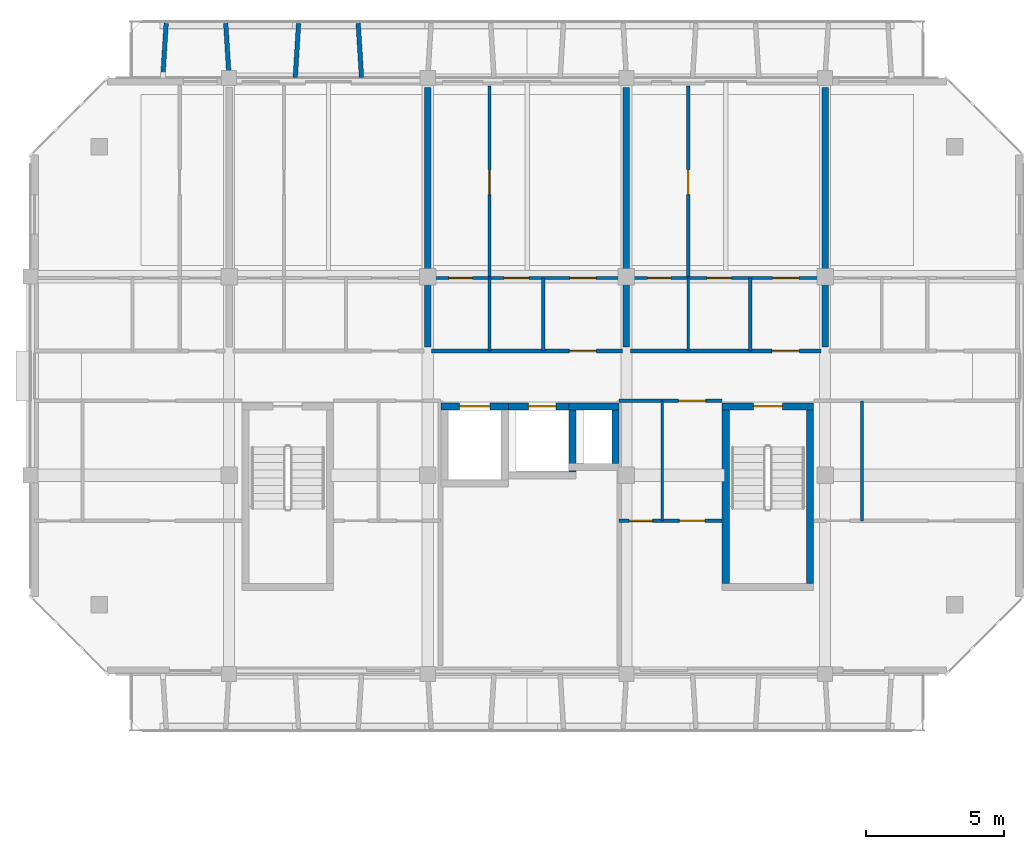
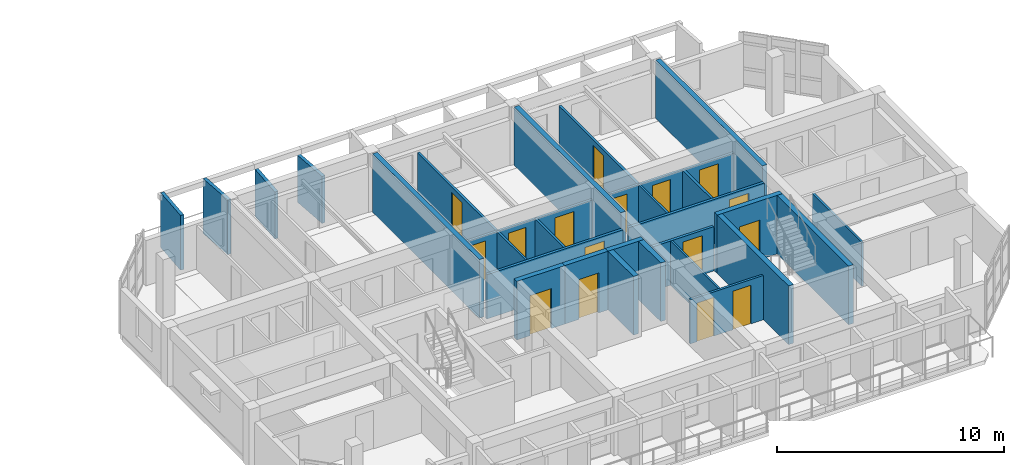
# One storey, part 45 of 64: 29 walls, 16 doors, 16 openings.
"""IFC4 building model written with IfcOpenShell, lengths in metres."""

from ifc_helpers import new_model, si_unit, direction, frame, frame_2d, origin, place, context, subcontext, project, spatial, rectangle, extrude, material, layer, layer_set, type_object, element, fill, save


model = new_model("IFC4")

# Units and contexts
model_context = context("Model", 3, precision=1e-05, world=origin(), true_north=direction((0.0, 1.0)))
body_context = subcontext(model_context, "Body", "Model", "MODEL_VIEW")
ifc_project = project(units=[si_unit("LENGTHUNIT", "METRE"), si_unit("AREAUNIT", "SQUARE_METRE"), si_unit("VOLUMEUNIT", "CUBIC_METRE"), si_unit("PLANEANGLEUNIT", "RADIAN"), si_unit("MASSUNIT", "GRAM", prefix="KILO")], contexts=[model_context])

# Site, building, storey
site_placement = place(None, origin())
site = spatial("IfcSite", under=ifc_project, at=site_placement, CompositionType="ELEMENT")
building_placement = place(site_placement, origin())
building = spatial("IfcBuilding", under=site, at=building_placement, Name="Ochrevale Crest", CompositionType="ELEMENT")
storey_placement = place(building_placement, frame((0.0, 0.0, 8.699951171875)))
storey = spatial("IfcBuildingStorey", under=building, at=storey_placement, Name="L02", CompositionType="ELEMENT", Elevation=8.699951171875)

# Wall, opening, door
ifc_material_1 = material(Name="Gypsum plasterboard", Category="gypsum")
ifc_layer_1 = layer(ifc_material_1, 0.139892578125)
ifc_layer_set_1 = layer_set([ifc_layer_1], Name="Gypsum plasterboard")
wall_type_1 = type_object("IfcWallType", Name="WL-COR-140", PredefinedType="PARTITIONING", material=ifc_layer_set_1)
wall_1_placement = place(storey_placement, frame((144.139892578125, 83.699951171875, 0.0), z_axis=(0.0, 0.0, 1.0), x_axis=(1.0, 0.0, 0.0)))
wall_1 = element("IfcWall", 1, at=wall_1_placement, inside=storey, type_object=wall_type_1, Name="Apartment D-L02-U3 corridor wall", PredefinedType="PARTITIONING", context=body_context, shape_type="SweptSolid", body=[
    extrude(rectangle(XDim=6.920166015625, YDim=0.139892578125, at=frame_2d((3.4599609375, 0.0))), origin(), (0.0, 0.0, 1.0), 2.380126953125),
])
opening_1_placement = place(wall_1_placement, frame((5.97509765625, 0.0, 0.0), z_axis=(0.0, 0.0, 1.0), x_axis=(-1.0, 0.0, 0.0)))
opening_1 = element("IfcOpeningElement", 2, at=opening_1_placement, cuts=wall_1, Name="Opening FD01", PredefinedType="OPENING", context=body_context, shape_type="SweptSolid", body=[
    extrude(rectangle(XDim=0.97998046875, YDim=2.10009765625, at=frame_2d((0.489990234375, 1.050048828125))), frame((0.0, 0.080078125, 0.0), z_axis=(0.0, -1.0, 0.0), x_axis=(1.0, 0.0, 0.0)), (0.0, 0.0, 1.0), 0.159912109375),
])
ifc_material_2 = material(Name="Solid-core FSC hardwood", Category="wood")
door_type_1 = type_object("IfcDoorType", Name="DR-APT-950", OperationType="NOTDEFINED", PredefinedType="DOOR", material=ifc_material_2)
door_1_placement = place(opening_1_placement, origin())
door_1 = element("IfcDoor", 3, at=door_1_placement, inside=storey, type_object=door_type_1, Name="Apartment D-L02-U3 entrance door", OperationType="SINGLE_SWING_RIGHT", OverallHeight=2.10009765625, OverallWidth=0.97998046875, PredefinedType="DOOR", context=body_context, shape_type="SweptSolid", body=[
    extrude(rectangle(XDim=0.97998046875, YDim=2.10009765625, at=frame_2d((0.489990234375, 1.050048828125))), frame((0.0, 0.02490234375, 0.0), z_axis=(0.0, -1.0, 0.0), x_axis=(1.0, 0.0, 0.0)), (0.0, 0.0, 1.0), 0.050048828125),
])
fill(opening_1, door_1)

wall_2_placement = place(storey_placement, frame((151.340087890625, 83.699951171875, 0.0), z_axis=(0.0, 0.0, 1.0), x_axis=(1.0, 0.0, 0.0)))
wall_2 = element("IfcWall", 4, at=wall_2_placement, inside=storey, type_object=wall_type_1, Name="Apartment D-L02-U4 corridor wall", PredefinedType="PARTITIONING", context=body_context, shape_type="SweptSolid", body=[
    extrude(rectangle(XDim=6.919921875, YDim=0.139892578125, at=frame_2d((3.4599609375, 0.0))), origin(), (0.0, 0.0, 1.0), 2.380126953125),
])
opening_2_placement = place(wall_2_placement, frame((5.14501953125, 0.0, 0.0)))
opening_2 = element("IfcOpeningElement", 5, at=opening_2_placement, cuts=wall_2, Name="Opening FD01", PredefinedType="OPENING", context=body_context, shape_type="SweptSolid", body=[
    extrude(rectangle(XDim=0.97998046875, YDim=2.10009765625, at=frame_2d((0.489990234375, 1.050048828125))), frame((0.0, 0.080078125, 0.0), z_axis=(0.0, -1.0, 0.0), x_axis=(1.0, 0.0, 0.0)), (0.0, 0.0, 1.0), 0.159912109375),
])
door_2_placement = place(opening_2_placement, origin())
door_2 = element("IfcDoor", 6, at=door_2_placement, inside=storey, type_object=door_type_1, Name="Apartment D-L02-U4 entrance door", OperationType="SINGLE_SWING_LEFT", OverallHeight=2.10009765625, OverallWidth=0.97998046875, PredefinedType="DOOR", context=body_context, shape_type="SweptSolid", body=[
    extrude(rectangle(XDim=0.97998046875, YDim=2.10009765625, at=frame_2d((0.489990234375, 1.050048828125))), frame((0.0, 0.02490234375, 0.0), z_axis=(0.0, -1.0, 0.0), x_axis=(1.0, 0.0, 0.0)), (0.0, 0.0, 1.0), 0.050048828125),
])
fill(opening_2, door_2)

wall_3_placement = place(storey_placement, frame((150.93994140625, 81.89990234375, 0.0), z_axis=(0.0, 0.0, 1.0), x_axis=(1.0, 0.0, 0.0)))
wall_3 = element("IfcWall", 7, at=wall_3_placement, inside=storey, type_object=wall_type_1, Name="Suite D-L02-ME corridor wall", PredefinedType="PARTITIONING", context=body_context, shape_type="SweptSolid", body=[
    extrude(rectangle(XDim=3.719970703125, YDim=0.139892578125, at=frame_2d((1.85986328125, 0.0))), origin(), (0.0, 0.0, 1.0), 2.380126953125),
])
opening_3_placement = place(wall_3_placement, frame((3.131103515625, 0.0, 0.0), z_axis=(0.0, 0.0, 1.0), x_axis=(-1.0, 0.0, 0.0)))
opening_3 = element("IfcOpeningElement", 8, at=opening_3_placement, cuts=wall_3, Name="Opening FD01", PredefinedType="OPENING", context=body_context, shape_type="SweptSolid", body=[
    extrude(rectangle(XDim=0.97998046875, YDim=2.10009765625, at=frame_2d((0.489990234375, 1.050048828125))), frame((0.0, 0.080078125, 0.0), z_axis=(0.0, -1.0, 0.0), x_axis=(1.0, 0.0, 0.0)), (0.0, 0.0, 1.0), 0.159912109375),
])
door_3_placement = place(opening_3_placement, origin())
door_3 = element("IfcDoor", 9, at=door_3_placement, inside=storey, type_object=door_type_1, Name="Suite D-L02-ME entrance door", OperationType="SINGLE_SWING_RIGHT", OverallHeight=2.10009765625, OverallWidth=0.97998046875, PredefinedType="DOOR", context=body_context, shape_type="SweptSolid", body=[
    extrude(rectangle(XDim=0.97998046875, YDim=2.10009765625, at=frame_2d((0.489990234375, 1.050048828125))), frame((0.0, 0.02490234375, 0.0), z_axis=(0.0, -1.0, 0.0), x_axis=(1.0, 0.0, 0.0)), (0.0, 0.0, 1.0), 0.050048828125),
])
fill(opening_3, door_3)

ifc_material_3 = material(Name="Precast concrete C50/60", Category="concrete")
ifc_layer_2 = layer(ifc_material_3, 0.2548828125)
ifc_layer_set_2 = layer_set([ifc_layer_2], Name="Precast concrete C50/60")
wall_type_2 = type_object("IfcWallType", Name="WL-CORE-255", PredefinedType="SHEAR", material=ifc_layer_set_2)
wall_4_placement = place(storey_placement, frame((154.672607421875, 81.699951171875, 0.0), z_axis=(0.0, 0.0, 1.0), x_axis=(1.0, 0.0, 0.0)))
wall_4 = element("IfcWall", 10, at=wall_4_placement, inside=storey, type_object=wall_type_2, Name="Block D L02 Stair 2 precast core shear wall N", PredefinedType="SHEAR", context=body_context, shape_type="SweptSolid", body=[
    extrude(rectangle(XDim=3.304931640625, YDim=0.2548828125, at=frame_2d((1.65234375, 0.0))), origin(), (0.0, 0.0, 1.0), 3.150146484375),
])
opening_4_placement = place(wall_4_placement, frame((1.12744140625, 0.0, 0.0)))
opening_4 = element("IfcOpeningElement", 11, at=opening_4_placement, cuts=wall_4, Name="Opening FD03", PredefinedType="OPENING", context=body_context, shape_type="SweptSolid", body=[
    extrude(rectangle(XDim=1.050048828125, YDim=2.1201171875, at=frame_2d((0.52490234375, 1.06005859375))), frame((0.0, 0.137451171875, 0.0), z_axis=(0.0, -1.0, 0.0), x_axis=(1.0, 0.0, 0.0)), (0.0, 0.0, 1.0), 0.27490234375),
])
door_type_2 = type_object("IfcDoorType", Name="DR-ST-1050", OperationType="NOTDEFINED", PredefinedType="DOOR", material=ifc_material_2)
door_4_placement = place(opening_4_placement, origin())
door_4 = element("IfcDoor", 12, at=door_4_placement, inside=storey, type_object=door_type_2, Name="Block D L02 fire stair 2 door", OperationType="SINGLE_SWING_LEFT", OverallHeight=2.1201171875, OverallWidth=1.050048828125, PredefinedType="DOOR", context=body_context, shape_type="SweptSolid", body=[
    extrude(rectangle(XDim=1.050048828125, YDim=2.1201171875, at=frame_2d((0.52490234375, 1.06005859375))), frame((0.0, 0.02490234375, 0.0), z_axis=(0.0, -1.0, 0.0), x_axis=(1.0, 0.0, 0.0)), (0.0, 0.0, 1.0), 0.050048828125),
])
fill(opening_4, door_4)

# Walls
for number, where, z_axis, x_axis, name in (
    (13, (154.800048828125, 75.277587890625, 0.0), (0.0, 0.0, 1.0), (0.0, 1.0, 0.0), "Block D L02 Stair 2 precast core shear wall W"),
    (14, (157.85009765625, 75.277587890625, 0.0), (0.0, 0.0, 1.0), (0.0, 1.0, 0.0), "Block D L02 Stair 2 precast core shear wall E"),
):
    element("IfcWall", number, at=place(storey_placement, frame(where, z_axis=z_axis, x_axis=x_axis)), inside=storey, type_object=wall_type_2, Name=name, PredefinedType="SHEAR", context=body_context, shape_type="SweptSolid", body=[
        extrude(rectangle(XDim=6.294921875, YDim=0.2548828125, at=frame_2d((3.1474609375, 0.0))), origin(), (0.0, 0.0, 1.0), 3.150146484375),
    ])

# Wall, opening, door
wall_5_placement = place(storey_placement, frame((144.472412109375, 81.699951171875, 0.0), z_axis=(0.0, 0.0, 1.0), x_axis=(1.0, 0.0, 0.0)))
wall_5 = element("IfcWall", 15, at=wall_5_placement, inside=storey, type_object=wall_type_2, Name="Block D L02 Lift 1 precast shaft shear wall N", PredefinedType="SHEAR", context=body_context, shape_type="SweptSolid", body=[
    extrude(rectangle(XDim=2.455078125, YDim=0.2548828125, at=frame_2d((1.2275390625, 0.0))), origin(), (0.0, 0.0, 1.0), 3.150146484375),
])
opening_5_placement = place(wall_5_placement, frame((0.677490234375, 0.0, 0.0)))
opening_5 = element("IfcOpeningElement", 16, at=opening_5_placement, cuts=wall_5, Name="Opening LD01", PredefinedType="OPENING", context=body_context, shape_type="SweptSolid", body=[
    extrude(rectangle(XDim=1.10009765625, YDim=2.14990234375, at=frame_2d((0.550048828125, 1.074951171875))), frame((0.0, 0.137451171875, 0.0), z_axis=(0.0, -1.0, 0.0), x_axis=(1.0, 0.0, 0.0)), (0.0, 0.0, 1.0), 0.27490234375),
])
door_type_3 = type_object("IfcDoorType", Name="DR-LIFT-1100", OperationType="NOTDEFINED", PredefinedType="DOOR", material=ifc_material_2)
door_5_placement = place(opening_5_placement, origin())
door_5 = element("IfcDoor", 17, at=door_5_placement, inside=storey, type_object=door_type_3, Name="Lift LF-D1 L02 sliding landing door", OperationType="SLIDING_TO_LEFT", OverallHeight=2.14990234375, OverallWidth=1.10009765625, PredefinedType="DOOR", context=body_context, shape_type="SweptSolid", body=[
    extrude(rectangle(XDim=1.10009765625, YDim=2.14990234375, at=frame_2d((0.550048828125, 1.074951171875))), frame((0.0, 0.02490234375, 0.0), z_axis=(0.0, -1.0, 0.0), x_axis=(1.0, 0.0, 0.0)), (0.0, 0.0, 1.0), 0.050048828125),
])
fill(opening_5, door_5)

wall_6_placement = place(storey_placement, frame((146.922607421875, 81.699951171875, 0.0), z_axis=(0.0, 0.0, 1.0), x_axis=(1.0, 0.0, 0.0)))
wall_6 = element("IfcWall", 18, at=wall_6_placement, inside=storey, type_object=wall_type_2, Name="Block D L02 Lift 2 precast shaft shear wall N", PredefinedType="SHEAR", context=body_context, shape_type="SweptSolid", body=[
    extrude(rectangle(XDim=2.454833984375, YDim=0.2548828125, at=frame_2d((1.2275390625, 0.0))), origin(), (0.0, 0.0, 1.0), 3.150146484375),
])
opening_6_placement = place(wall_6_placement, frame((0.7275390625, 0.0, 0.0)))
opening_6 = element("IfcOpeningElement", 19, at=opening_6_placement, cuts=wall_6, Name="Opening LD02", PredefinedType="OPENING", context=body_context, shape_type="SweptSolid", body=[
    extrude(rectangle(XDim=1.0, YDim=2.14990234375, at=frame_2d((0.5, 1.074951171875))), frame((0.0, 0.137451171875, 0.0), z_axis=(0.0, -1.0, 0.0), x_axis=(1.0, 0.0, 0.0)), (0.0, 0.0, 1.0), 0.27490234375),
])
door_type_4 = type_object("IfcDoorType", Name="DR-LIFT-1000", OperationType="NOTDEFINED", PredefinedType="DOOR", material=ifc_material_2)
door_6_placement = place(opening_6_placement, origin())
door_6 = element("IfcDoor", 20, at=door_6_placement, inside=storey, type_object=door_type_4, Name="Lift LP-D2 L02 sliding landing door", OperationType="SLIDING_TO_RIGHT", OverallHeight=2.14990234375, OverallWidth=1.0, PredefinedType="DOOR", context=body_context, shape_type="SweptSolid", body=[
    extrude(rectangle(XDim=1.0, YDim=2.14990234375, at=frame_2d((0.5, 1.074951171875))), frame((0.0, 0.02490234375, 0.0), z_axis=(0.0, -1.0, 0.0), x_axis=(1.0, 0.0, 0.0)), (0.0, 0.0, 1.0), 0.050048828125),
])
fill(opening_6, door_6)

# Walls
wall_7_placement = place(storey_placement, frame((149.25, 79.327392578125, 0.0), z_axis=(0.0, 0.0, 1.0), x_axis=(0.0, 1.0, 0.0)))
element("IfcWall", 21, at=wall_7_placement, inside=storey, type_object=wall_type_2, Name="Block D L02 Lift 2 precast shaft shear wall E", PredefinedType="SHEAR", context=body_context, shape_type="SweptSolid", body=[
    extrude(rectangle(XDim=2.2451171875, YDim=0.2548828125, at=frame_2d((1.12255859375, 0.0))), origin(), (0.0, 0.0, 1.0), 3.150146484375),
])
wall_8_placement = place(storey_placement, frame((149.12255859375, 81.699951171875, 0.0), z_axis=(0.0, 0.0, 1.0), x_axis=(1.0, 0.0, 0.0)))
element("IfcWall", 22, at=wall_8_placement, inside=storey, type_object=wall_type_2, Name="Block D L02 services riser shaft core wall N", PredefinedType="SHEAR", context=body_context, shape_type="SweptSolid", body=[
    extrude(rectangle(XDim=1.804931640625, YDim=0.2548828125, at=frame_2d((0.90234375, 0.0))), origin(), (0.0, 0.0, 1.0), 3.150146484375),
])
wall_9_placement = place(storey_placement, frame((150.800048828125, 79.62744140625, 0.0), z_axis=(0.0, 0.0, 1.0), x_axis=(0.0, 1.0, 0.0)))
element("IfcWall", 23, at=wall_9_placement, inside=storey, type_object=wall_type_2, Name="Block D L02 services riser shaft core wall E", PredefinedType="SHEAR", context=body_context, shape_type="SweptSolid", body=[
    extrude(rectangle(XDim=1.945068359375, YDim=0.2548828125, at=frame_2d((0.97265625, 0.0))), origin(), (0.0, 0.0, 1.0), 3.150146484375),
])
ifc_material_4 = material(Name="Precast concrete C40/50", Category="concrete")
ifc_layer_3 = layer(ifc_material_4, 0.1650390625)
ifc_layer_set_3 = layer_set([ifc_layer_3], Name="Precast concrete C40/50")
wall_type_3 = type_object("IfcWallType", Name="WL-HC-CHEEK-165", PredefinedType="ELEMENTEDWALL", material=ifc_layer_set_3)
for number, where, z_axis, x_axis, name in (
    (24, (134.39990234375, 93.6201171875, 0.0), (0.0, 0.0, 1.0), (0.061170732449, 0.998127317276, 0.0), "Block D L02 N precast honeycomb cheek 1"),
    (25, (136.800048828125, 93.6201171875, 0.0), (0.0, 0.0, 1.0), (-0.061170732449, 0.998127317276, 0.0), "Block D L02 N precast honeycomb cheek 2"),
):
    element("IfcWall", number, at=place(storey_placement, frame(where, z_axis=z_axis, x_axis=x_axis)), inside=storey, type_object=wall_type_3, Name=name, PredefinedType="ELEMENTEDWALL", context=body_context, shape_type="SweptSolid", body=[
        extrude(rectangle(XDim=1.963623046875, YDim=0.1650390625, at=frame_2d((0.98193359375, 0.0))), origin(), (0.0, 0.0, 1.0), 2.949951171875),
    ])
for number, where, z_axis, x_axis, name in (
    (26, (139.199951171875, 93.6201171875, 0.0), (0.0, 0.0, 1.0), (0.061170732449, 0.998127317276, 0.0), "Block D L02 N precast honeycomb cheek 3"),
    (27, (141.60009765625, 93.6201171875, 0.0), (0.0, 0.0, 1.0), (-0.061170732449, 0.998127317276, 0.0), "Block D L02 N precast honeycomb cheek 4"),
):
    element("IfcWall", number, at=place(storey_placement, frame(where, z_axis=z_axis, x_axis=x_axis)), inside=storey, type_object=wall_type_3, Name=name, PredefinedType="ELEMENTEDWALL", context=body_context, shape_type="SweptSolid", body=[
        extrude(rectangle(XDim=1.963623046875, YDim=0.1650390625, at=frame_2d((0.98193359375, 0.0))), origin(), (0.0, 0.0, 1.0), 2.530029296875),
    ])
ifc_layer_4 = layer(ifc_material_1, 0.1201171875)
ifc_layer_set_4 = layer_set([ifc_layer_4], Name="Gypsum plasterboard")
wall_type_4 = type_object("IfcWallType", Name="WL-PART-120", PredefinedType="PARTITIONING", material=ifc_layer_set_4)
wall_10_placement = place(storey_placement, frame((148.18994140625, 83.699951171875, 0.0), z_axis=(0.0, 0.0, 1.0), x_axis=(0.0, 1.0, 0.0)))
element("IfcWall", 28, at=wall_10_placement, inside=storey, type_object=wall_type_4, Name="Apartment D-L02-U3 kitchen-foyer wall", PredefinedType="PARTITIONING", context=body_context, shape_type="SweptSolid", body=[
    extrude(rectangle(XDim=2.650146484375, YDim=0.1201171875, at=frame_2d((1.3251953125, 0.0))), origin(), (0.0, 0.0, 1.0), 2.375),
])

# Wall, openings, doors
wall_11_placement = place(storey_placement, frame((144.139892578125, 86.35009765625, 0.0), z_axis=(0.0, 0.0, 1.0), x_axis=(1.0, 0.0, 0.0)))
wall_11 = element("IfcWall", 29, at=wall_11_placement, inside=storey, type_object=wall_type_4, Name="Apartment D-L02-U3 central partition", PredefinedType="PARTITIONING", context=body_context, shape_type="SweptSolid", body=[
    extrude(rectangle(XDim=6.920166015625, YDim=0.1201171875, at=frame_2d((3.4599609375, 0.0))), origin(), (0.0, 0.0, 1.0), 2.375),
])
opening_7_placement = place(wall_11_placement, frame((0.625, 0.0, 0.0)))
opening_7 = element("IfcOpeningElement", 30, at=opening_7_placement, cuts=wall_11, Name="Opening ID01", PredefinedType="OPENING", context=body_context, shape_type="SweptSolid", body=[
    extrude(rectangle(XDim=0.85009765625, YDim=2.080078125, at=frame_2d((0.425048828125, 1.0400390625))), frame((0.0, 0.070068359375, 0.0), z_axis=(0.0, -1.0, 0.0), x_axis=(1.0, 0.0, 0.0)), (0.0, 0.0, 1.0), 0.14013671875),
])
opening_8_placement = place(wall_11_placement, frame((3.52490234375, 0.0, 0.0), z_axis=(0.0, 0.0, 1.0), x_axis=(-1.0, 0.0, 0.0)))
opening_8 = element("IfcOpeningElement", 31, at=opening_8_placement, cuts=wall_11, Name="Opening ID02", PredefinedType="OPENING", context=body_context, shape_type="SweptSolid", body=[
    extrude(rectangle(XDim=0.89990234375, YDim=2.080078125, at=frame_2d((0.449951171875, 1.0400390625))), frame((0.0, 0.070068359375, 0.0), z_axis=(0.0, -1.0, 0.0), x_axis=(1.0, 0.0, 0.0)), (0.0, 0.0, 1.0), 0.14013671875),
])
opening_9_placement = place(wall_11_placement, frame((5.010009765625, 0.0, 0.0)))
opening_9 = element("IfcOpeningElement", 32, at=opening_9_placement, cuts=wall_11, Name="Opening ID06", PredefinedType="OPENING", context=body_context, shape_type="SweptSolid", body=[
    extrude(rectangle(XDim=0.949951171875, YDim=2.080078125, at=frame_2d((0.47509765625, 1.0400390625))), frame((0.0, 0.070068359375, 0.0), z_axis=(0.0, -1.0, 0.0), x_axis=(1.0, 0.0, 0.0)), (0.0, 0.0, 1.0), 0.14013671875),
])
door_type_5 = type_object("IfcDoorType", Name="DR-INT-900", OperationType="NOTDEFINED", PredefinedType="DOOR", material=ifc_material_2)
door_7_placement = place(opening_8_placement, origin())
door_7 = element("IfcDoor", 33, at=door_7_placement, inside=storey, type_object=door_type_5, Name="Apartment D-L02-U3 Kitchen door", OperationType="SINGLE_SWING_RIGHT", OverallHeight=2.080078125, OverallWidth=0.89990234375, PredefinedType="DOOR", context=body_context, shape_type="SweptSolid", body=[
    extrude(rectangle(XDim=0.89990234375, YDim=2.080078125, at=frame_2d((0.449951171875, 1.0400390625))), frame((0.0, 0.02490234375, 0.0), z_axis=(0.0, -1.0, 0.0), x_axis=(1.0, 0.0, 0.0)), (0.0, 0.0, 1.0), 0.050048828125),
])
fill(opening_8, door_7)
door_type_6 = type_object("IfcDoorType", Name="DR-INT-950", OperationType="NOTDEFINED", PredefinedType="DOOR", material=ifc_material_2)
door_8_placement = place(opening_9_placement, origin())
door_8 = element("IfcDoor", 34, at=door_8_placement, inside=storey, type_object=door_type_6, Name="Apartment D-L02-U3 Living Foyer door", OperationType="SINGLE_SWING_LEFT", OverallHeight=2.080078125, OverallWidth=0.949951171875, PredefinedType="DOOR", context=body_context, shape_type="SweptSolid", body=[
    extrude(rectangle(XDim=0.949951171875, YDim=2.080078125, at=frame_2d((0.47509765625, 1.0400390625))), frame((0.0, 0.02490234375, 0.0), z_axis=(0.0, -1.0, 0.0), x_axis=(1.0, 0.0, 0.0)), (0.0, 0.0, 1.0), 0.050048828125),
])
fill(opening_9, door_8)
door_type_7 = type_object("IfcDoorType", Name="DR-WC-850", OperationType="NOTDEFINED", PredefinedType="DOOR", material=ifc_material_2)
door_9_placement = place(opening_7_placement, origin())
door_9 = element("IfcDoor", 35, at=door_9_placement, inside=storey, type_object=door_type_7, Name="Apartment D-L02-U3 Bathroom door", OperationType="SINGLE_SWING_LEFT", OverallHeight=2.080078125, OverallWidth=0.85009765625, PredefinedType="DOOR", context=body_context, shape_type="SweptSolid", body=[
    extrude(rectangle(XDim=0.85009765625, YDim=2.080078125, at=frame_2d((0.425048828125, 1.0400390625))), frame((0.0, 0.02490234375, 0.0), z_axis=(0.0, -1.0, 0.0), x_axis=(1.0, 0.0, 0.0)), (0.0, 0.0, 1.0), 0.050048828125),
])
fill(opening_7, door_9)

# Wall, opening, door
wall_12_placement = place(storey_placement, frame((146.239990234375, 86.35009765625, 0.0), z_axis=(0.0, 0.0, 1.0), x_axis=(0.0, 1.0, 0.0)))
wall_12 = element("IfcWall", 36, at=wall_12_placement, inside=storey, type_object=wall_type_4, Name="Apartment D-L02-U3 bedroom partition", PredefinedType="PARTITIONING", context=body_context, shape_type="SweptSolid", body=[
    extrude(rectangle(XDim=6.949951171875, YDim=0.1201171875, at=frame_2d((3.47509765625, 0.0))), origin(), (0.0, 0.0, 1.0), 2.375),
])
opening_10_placement = place(wall_12_placement, frame((3.9248046875, 0.0, 0.0), z_axis=(0.0, 0.0, 1.0), x_axis=(-1.0, 0.0, 0.0)))
opening_10 = element("IfcOpeningElement", 37, at=opening_10_placement, cuts=wall_12, Name="Opening ID02", PredefinedType="OPENING", context=body_context, shape_type="SweptSolid", body=[
    extrude(rectangle(XDim=0.89990234375, YDim=2.080078125, at=frame_2d((0.449951171875, 1.0400390625))), frame((0.0, 0.070068359375, 0.0), z_axis=(0.0, -1.0, 0.0), x_axis=(1.0, 0.0, 0.0)), (0.0, 0.0, 1.0), 0.14013671875),
])
door_10_placement = place(opening_10_placement, origin())
door_10 = element("IfcDoor", 38, at=door_10_placement, inside=storey, type_object=door_type_5, Name="Apartment D-L02-U3 Master Bedroom door", OperationType="SINGLE_SWING_RIGHT", OverallHeight=2.080078125, OverallWidth=0.89990234375, PredefinedType="DOOR", context=body_context, shape_type="SweptSolid", body=[
    extrude(rectangle(XDim=0.89990234375, YDim=2.080078125, at=frame_2d((0.449951171875, 1.0400390625))), frame((0.0, 0.02490234375, 0.0), z_axis=(0.0, -1.0, 0.0), x_axis=(1.0, 0.0, 0.0)), (0.0, 0.0, 1.0), 0.050048828125),
])
fill(opening_10, door_10)

# Wall
wall_13_placement = place(storey_placement, frame((155.68994140625, 83.699951171875, 0.0), z_axis=(0.0, 0.0, 1.0), x_axis=(0.0, 1.0, 0.0)))
element("IfcWall", 39, at=wall_13_placement, inside=storey, type_object=wall_type_4, Name="Apartment D-L02-U4 kitchen-foyer wall", PredefinedType="PARTITIONING", context=body_context, shape_type="SweptSolid", body=[
    extrude(rectangle(XDim=2.650146484375, YDim=0.1201171875, at=frame_2d((1.3251953125, 0.0))), origin(), (0.0, 0.0, 1.0), 2.375),
])

# Wall, openings, doors
wall_14_placement = place(storey_placement, frame((151.340087890625, 86.35009765625, 0.0), z_axis=(0.0, 0.0, 1.0), x_axis=(1.0, 0.0, 0.0)))
wall_14 = element("IfcWall", 40, at=wall_14_placement, inside=storey, type_object=wall_type_4, Name="Apartment D-L02-U4 central partition", PredefinedType="PARTITIONING", context=body_context, shape_type="SweptSolid", body=[
    extrude(rectangle(XDim=6.919921875, YDim=0.1201171875, at=frame_2d((3.4599609375, 0.0))), origin(), (0.0, 0.0, 1.0), 2.375),
])
opening_11_placement = place(wall_14_placement, frame((1.47509765625, 0.0, 0.0), z_axis=(0.0, 0.0, 1.0), x_axis=(-1.0, 0.0, 0.0)))
opening_11 = element("IfcOpeningElement", 41, at=opening_11_placement, cuts=wall_14, Name="Opening ID01", PredefinedType="OPENING", context=body_context, shape_type="SweptSolid", body=[
    extrude(rectangle(XDim=0.85009765625, YDim=2.080078125, at=frame_2d((0.425048828125, 1.0400390625))), frame((0.0, 0.070068359375, 0.0), z_axis=(0.0, -1.0, 0.0), x_axis=(1.0, 0.0, 0.0)), (0.0, 0.0, 1.0), 0.14013671875),
])
opening_12_placement = place(wall_14_placement, frame((2.77490234375, 0.0, 0.0)))
opening_12 = element("IfcOpeningElement", 42, at=opening_12_placement, cuts=wall_14, Name="Opening ID02", PredefinedType="OPENING", context=body_context, shape_type="SweptSolid", body=[
    extrude(rectangle(XDim=0.89990234375, YDim=2.080078125, at=frame_2d((0.449951171875, 1.0400390625))), frame((0.0, 0.070068359375, 0.0), z_axis=(0.0, -1.0, 0.0), x_axis=(1.0, 0.0, 0.0)), (0.0, 0.0, 1.0), 0.14013671875),
])
opening_13_placement = place(wall_14_placement, frame((6.10986328125, 0.0, 0.0), z_axis=(0.0, 0.0, 1.0), x_axis=(-1.0, 0.0, 0.0)))
opening_13 = element("IfcOpeningElement", 43, at=opening_13_placement, cuts=wall_14, Name="Opening ID06", PredefinedType="OPENING", context=body_context, shape_type="SweptSolid", body=[
    extrude(rectangle(XDim=0.949951171875, YDim=2.080078125, at=frame_2d((0.47509765625, 1.0400390625))), frame((0.0, 0.070068359375, 0.0), z_axis=(0.0, -1.0, 0.0), x_axis=(1.0, 0.0, 0.0)), (0.0, 0.0, 1.0), 0.14013671875),
])
door_11_placement = place(opening_12_placement, origin())
door_11 = element("IfcDoor", 44, at=door_11_placement, inside=storey, type_object=door_type_5, Name="Apartment D-L02-U4 Kitchen door", OperationType="SINGLE_SWING_LEFT", OverallHeight=2.080078125, OverallWidth=0.89990234375, PredefinedType="DOOR", context=body_context, shape_type="SweptSolid", body=[
    extrude(rectangle(XDim=0.89990234375, YDim=2.080078125, at=frame_2d((0.449951171875, 1.0400390625))), frame((0.0, 0.02490234375, 0.0), z_axis=(0.0, -1.0, 0.0), x_axis=(1.0, 0.0, 0.0)), (0.0, 0.0, 1.0), 0.050048828125),
])
fill(opening_12, door_11)
door_12_placement = place(opening_13_placement, origin())
door_12 = element("IfcDoor", 45, at=door_12_placement, inside=storey, type_object=door_type_6, Name="Apartment D-L02-U4 Living Foyer door", OperationType="SINGLE_SWING_RIGHT", OverallHeight=2.080078125, OverallWidth=0.949951171875, PredefinedType="DOOR", context=body_context, shape_type="SweptSolid", body=[
    extrude(rectangle(XDim=0.949951171875, YDim=2.080078125, at=frame_2d((0.47509765625, 1.0400390625))), frame((0.0, 0.02490234375, 0.0), z_axis=(0.0, -1.0, 0.0), x_axis=(1.0, 0.0, 0.0)), (0.0, 0.0, 1.0), 0.050048828125),
])
fill(opening_13, door_12)
door_13_placement = place(opening_11_placement, origin())
door_13 = element("IfcDoor", 46, at=door_13_placement, inside=storey, type_object=door_type_7, Name="Apartment D-L02-U4 Bathroom door", OperationType="SINGLE_SWING_RIGHT", OverallHeight=2.080078125, OverallWidth=0.85009765625, PredefinedType="DOOR", context=body_context, shape_type="SweptSolid", body=[
    extrude(rectangle(XDim=0.85009765625, YDim=2.080078125, at=frame_2d((0.425048828125, 1.0400390625))), frame((0.0, 0.02490234375, 0.0), z_axis=(0.0, -1.0, 0.0), x_axis=(1.0, 0.0, 0.0)), (0.0, 0.0, 1.0), 0.050048828125),
])
fill(opening_11, door_13)

# Wall, opening, door
wall_15_placement = place(storey_placement, frame((153.43994140625, 86.35009765625, 0.0), z_axis=(0.0, 0.0, 1.0), x_axis=(0.0, 1.0, 0.0)))
wall_15 = element("IfcWall", 47, at=wall_15_placement, inside=storey, type_object=wall_type_4, Name="Apartment D-L02-U4 bedroom partition", PredefinedType="PARTITIONING", context=body_context, shape_type="SweptSolid", body=[
    extrude(rectangle(XDim=6.949951171875, YDim=0.1201171875, at=frame_2d((3.47509765625, 0.0))), origin(), (0.0, 0.0, 1.0), 2.375),
])
opening_14_placement = place(wall_15_placement, frame((3.02490234375, 0.0, 0.0)))
opening_14 = element("IfcOpeningElement", 48, at=opening_14_placement, cuts=wall_15, Name="Opening ID02", PredefinedType="OPENING", context=body_context, shape_type="SweptSolid", body=[
    extrude(rectangle(XDim=0.89990234375, YDim=2.080078125, at=frame_2d((0.449951171875, 1.0400390625))), frame((0.0, 0.070068359375, 0.0), z_axis=(0.0, -1.0, 0.0), x_axis=(1.0, 0.0, 0.0)), (0.0, 0.0, 1.0), 0.14013671875),
])
door_14_placement = place(opening_14_placement, origin())
door_14 = element("IfcDoor", 49, at=door_14_placement, inside=storey, type_object=door_type_5, Name="Apartment D-L02-U4 Twin Bedroom door", OperationType="SINGLE_SWING_LEFT", OverallHeight=2.080078125, OverallWidth=0.89990234375, PredefinedType="DOOR", context=body_context, shape_type="SweptSolid", body=[
    extrude(rectangle(XDim=0.89990234375, YDim=2.080078125, at=frame_2d((0.449951171875, 1.0400390625))), frame((0.0, 0.02490234375, 0.0), z_axis=(0.0, -1.0, 0.0), x_axis=(1.0, 0.0, 0.0)), (0.0, 0.0, 1.0), 0.050048828125),
])
fill(opening_14, door_14)

# Wall, openings, doors
wall_16_placement = place(storey_placement, frame((150.93994140625, 77.550048828125, 0.0), z_axis=(0.0, 0.0, 1.0), x_axis=(1.0, 0.0, 0.0)))
wall_16 = element("IfcWall", 50, at=wall_16_placement, inside=storey, type_object=wall_type_4, Name="Suite D-L02-ME internal wall", PredefinedType="PARTITIONING", context=body_context, shape_type="SweptSolid", body=[
    extrude(rectangle(XDim=3.719970703125, YDim=0.1201171875, at=frame_2d((1.85986328125, 0.0))), origin(), (0.0, 0.0, 1.0), 2.380126953125),
])
opening_15_placement = place(wall_16_placement, frame((0.356201171875, 0.0, 0.0)))
opening_15 = element("IfcOpeningElement", 51, at=opening_15_placement, cuts=wall_16, Name="Opening ID01", PredefinedType="OPENING", context=body_context, shape_type="SweptSolid", body=[
    extrude(rectangle(XDim=0.85009765625, YDim=2.080078125, at=frame_2d((0.425048828125, 1.0400390625))), frame((0.0, 0.070068359375, 0.0), z_axis=(0.0, -1.0, 0.0), x_axis=(1.0, 0.0, 0.0)), (0.0, 0.0, 1.0), 0.14013671875),
])
opening_16_placement = place(wall_16_placement, frame((3.10107421875, 0.0, 0.0), z_axis=(0.0, 0.0, 1.0), x_axis=(-1.0, 0.0, 0.0)))
opening_16 = element("IfcOpeningElement", 52, at=opening_16_placement, cuts=wall_16, Name="Opening ID04", PredefinedType="OPENING", context=body_context, shape_type="SweptSolid", body=[
    extrude(rectangle(XDim=0.919921875, YDim=2.080078125, at=frame_2d((0.4599609375, 1.0400390625))), frame((0.0, 0.070068359375, 0.0), z_axis=(0.0, -1.0, 0.0), x_axis=(1.0, 0.0, 0.0)), (0.0, 0.0, 1.0), 0.14013671875),
])
door_type_8 = type_object("IfcDoorType", Name="DR-INT-920", OperationType="NOTDEFINED", PredefinedType="DOOR", material=ifc_material_2)
door_15_placement = place(opening_16_placement, origin())
door_15 = element("IfcDoor", 53, at=door_15_placement, inside=storey, type_object=door_type_8, Name="Suite D-L02-ME Garden Alcove Studio door", OperationType="SINGLE_SWING_RIGHT", OverallHeight=2.080078125, OverallWidth=0.919921875, PredefinedType="DOOR", context=body_context, shape_type="SweptSolid", body=[
    extrude(rectangle(XDim=0.919921875, YDim=2.080078125, at=frame_2d((0.4599609375, 1.0400390625))), frame((0.0, 0.02490234375, 0.0), z_axis=(0.0, -1.0, 0.0), x_axis=(1.0, 0.0, 0.0)), (0.0, 0.0, 1.0), 0.050048828125),
])
fill(opening_16, door_15)
door_16_placement = place(opening_15_placement, origin())
door_16 = element("IfcDoor", 54, at=door_16_placement, inside=storey, type_object=door_type_7, Name="Suite D-L02-ME Bathroom door", OperationType="SINGLE_SWING_LEFT", OverallHeight=2.080078125, OverallWidth=0.85009765625, PredefinedType="DOOR", context=body_context, shape_type="SweptSolid", body=[
    extrude(rectangle(XDim=0.85009765625, YDim=2.080078125, at=frame_2d((0.425048828125, 1.0400390625))), frame((0.0, 0.02490234375, 0.0), z_axis=(0.0, -1.0, 0.0), x_axis=(1.0, 0.0, 0.0)), (0.0, 0.0, 1.0), 0.050048828125),
])
fill(opening_15, door_16)

# Walls
ifc_layer_5 = layer(ifc_material_3, 0.239990234375)
ifc_layer_set_5 = layer_set([ifc_layer_5], Name="Precast concrete C50/60")
wall_type_5 = type_object("IfcWallType", Name="WL-SHEAR-240", PredefinedType="SHEAR", material=ifc_layer_set_5)
for number, where, z_axis, x_axis, name in (
    (55, (144.0, 83.85009765625, 0.0), (0.0, 0.0, 1.0), (0.0, 1.0, 0.0), "Block D L02 load-bearing precast cross-wall X=144.0"),
    (56, (151.199951171875, 83.85009765625, 0.0), (0.0, 0.0, 1.0), (0.0, 1.0, 0.0), "Block D L02 load-bearing precast cross-wall X=151.2"),
    (57, (158.39990234375, 83.85009765625, 0.0), (0.0, 0.0, 1.0), (0.0, 1.0, 0.0), "Block D L02 load-bearing precast cross-wall X=158.4"),
):
    element("IfcWall", number, at=place(storey_placement, frame(where, z_axis=z_axis, x_axis=x_axis)), inside=storey, type_object=wall_type_5, Name=name, PredefinedType="SHEAR", context=body_context, shape_type="SweptSolid", body=[
        extrude(rectangle(XDim=9.39990234375, YDim=0.239990234375, at=frame_2d((4.699951171875, 0.0))), origin(), (0.0, 0.0, 1.0), 3.150146484375),
    ])
ifc_layer_6 = layer(ifc_material_1, 0.10009765625)
ifc_layer_set_6 = layer_set([ifc_layer_6], Name="Gypsum plasterboard")
wall_type_6 = type_object("IfcWallType", Name="WL-WET-100", PredefinedType="PARTITIONING", material=ifc_layer_set_6)
for number, where, z_axis, x_axis, name in (
    (58, (146.239990234375, 83.699951171875, 0.0), (0.0, 0.0, 1.0), (0.0, 1.0, 0.0), "Apartment D-L02-U3 bath-kitchen wall"),
    (59, (153.43994140625, 83.699951171875, 0.0), (0.0, 0.0, 1.0), (0.0, 1.0, 0.0), "Apartment D-L02-U4 bath-kitchen wall"),
):
    element("IfcWall", number, at=place(storey_placement, frame(where, z_axis=z_axis, x_axis=x_axis)), inside=storey, type_object=wall_type_6, Name=name, PredefinedType="PARTITIONING", context=body_context, shape_type="SweptSolid", body=[
        extrude(rectangle(XDim=2.650146484375, YDim=0.10009765625, at=frame_2d((1.3251953125, 0.0))), origin(), (0.0, 0.0, 1.0), 2.375),
    ])
for number, where, z_axis, x_axis, name in (
    (60, (152.50244140625, 77.550048828125, 0.0), (0.0, 0.0, 1.0), (0.0, 1.0, 0.0), "Suite D-L02-ME bathroom divider"),
    (61, (159.739990234375, 77.550048828125, 0.0), (0.0, 0.0, 1.0), (0.0, 1.0, 0.0), "Suite D-L02-CE bathroom divider"),
):
    element("IfcWall", number, at=place(storey_placement, frame(where, z_axis=z_axis, x_axis=x_axis)), inside=storey, type_object=wall_type_6, Name=name, PredefinedType="PARTITIONING", context=body_context, shape_type="SweptSolid", body=[
        extrude(rectangle(XDim=4.349853515625, YDim=0.10009765625, at=frame_2d((2.1748046875, 0.0))), origin(), (0.0, 0.0, 1.0), 2.375),
    ])

save(model, "model.ifc")
